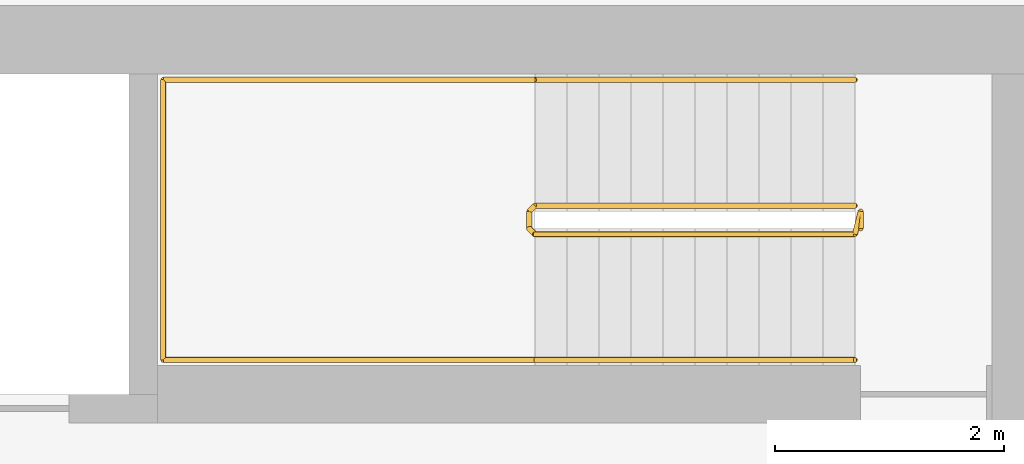
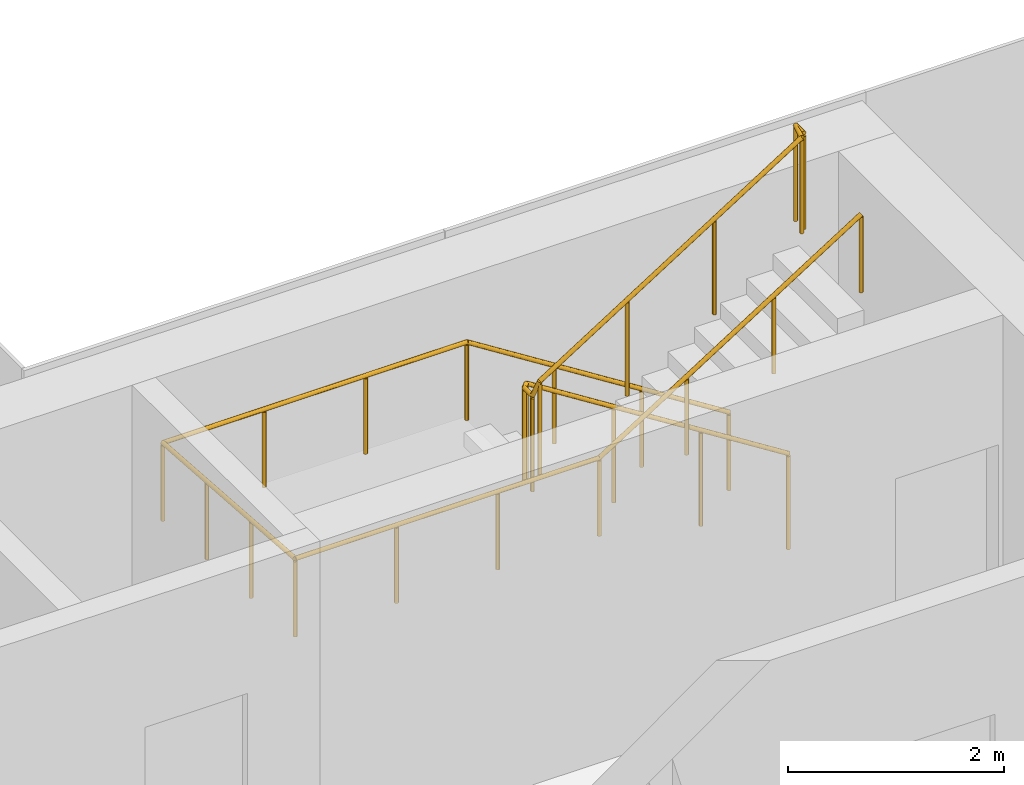
# One storey, part 18 of 18: 2 railings.
"""IFC4 building model written with IfcOpenShell, lengths in metres."""

from ifc_helpers import new_model, si_unit, direction, frame, origin, origin_2d, place, context, subcontext, project, spatial, circle, extrude, material, type_object, element, save


model = new_model("IFC4")

# Units and contexts
model_context = context("Model", 3, precision=1e-05, world=origin(), true_north=direction((0.0, 1.0)))
body_context = subcontext(model_context, "Body", "Model", "MODEL_VIEW")
ifc_project = project(units=[si_unit("LENGTHUNIT", "METRE"), si_unit("AREAUNIT", "SQUARE_METRE"), si_unit("VOLUMEUNIT", "CUBIC_METRE"), si_unit("PLANEANGLEUNIT", "RADIAN"), si_unit("MASSUNIT", "GRAM", prefix="KILO")], contexts=[model_context])

# Site, building, storey
site_placement = place(None, origin())
site = spatial("IfcSite", under=ifc_project, at=site_placement, CompositionType="ELEMENT")
building_placement = place(site_placement, origin())
building = spatial("IfcBuilding", under=site, at=building_placement, Name="Shamsa Quay Exchange Towers", CompositionType="ELEMENT")
storey_placement = place(building_placement, frame((0.0, 0.0, 117.0)))
storey = spatial("IfcBuildingStorey", under=building, at=storey_placement, Name="L27", CompositionType="ELEMENT", Elevation=117.0)

# Railings
ifc_material = material(Name="Stainless steel", Category="steel")
railing_type_1 = type_object("IfcRailingType", Name="STAIR GUARD 1100", PredefinedType="GUARDRAIL", material=ifc_material)
railing_1_placement = place(storey_placement, frame((52.10009765625, 4.89990234375, 0.17724609375)))
element("IfcRailing", 1, at=railing_1_placement, inside=storey, type_object=railing_type_1, Name="L27 ST6 stair guard 1", PredefinedType="GUARDRAIL", context=body_context, shape_type="SweptSolid", body=[
    extrude(circle(Radius=0.02392578125, at=origin_2d()), frame((0.0, 0.0, 1.076171875), z_axis=(-0.844908973607, 0.0, 0.534910110503), x_axis=(0.0, -1.0, 0.0)), (0.0, 0.0, 1.0), 3.31396484375),
    extrude(circle(Radius=0.02392578125, at=origin_2d()), frame((-2.800048828125, 0.0, 2.8486328125), z_axis=(-0.708833529934, -0.705375805398, 0.0), x_axis=(0.705375805398, -0.708833529934, 0.0)), (0.0, 0.0, 1.0), 0.070556640625),
    extrude(circle(Radius=0.02392578125, at=origin_2d()), frame((-2.85009765625, -0.0498046875, 2.8486328125), z_axis=(0.0, -1.0, 0.0), x_axis=(1.0, 0.0, 0.0)), (0.0, 0.0, 1.0), 0.150146484375),
    extrude(circle(Radius=0.02392578125, at=origin_2d()), frame((-2.85009765625, -0.199951171875, 2.8486328125), z_axis=(0.262233686654, -0.262233686654, 0.928691007369), x_axis=(0.707106781187, 0.707106781187, 0.0)), (0.0, 0.0, 1.0), 0.19091796875),
    extrude(circle(Radius=0.02392578125, at=origin_2d()), frame((-2.800048828125, -0.25, 3.02587890625), z_axis=(0.844908973607, 0.0, 0.534910110503), x_axis=(0.0, 1.0, 0.0)), (0.0, 0.0, 1.0), 3.31396484375),
    extrude(circle(Radius=0.02392578125, at=origin_2d()), frame((0.0, -0.25, 4.798828125), z_axis=(0.24142163986, 0.970420317083, 0.0), x_axis=(-0.970420317083, 0.24142163986, 0.0)), (0.0, 0.0, 1.0), 0.206298828125),
    extrude(circle(Radius=0.02392578125, at=origin_2d()), frame((0.0498046875, -0.0498046875, 4.798828125), z_axis=(0.0, -1.0, 0.0), x_axis=(1.0, 0.0, 0.0)), (0.0, 0.0, 1.0), 0.150146484375),
    extrude(circle(Radius=0.02099609375, at=origin_2d()), origin(), (0.0, 0.0, 1.0), 1.052001953125),
    extrude(circle(Radius=0.02099609375, at=origin_2d()), frame((-0.933349609375, 0.0, 0.5908203125)), (0.0, 0.0, 1.0), 1.052001953125),
    extrude(circle(Radius=0.02099609375, at=origin_2d()), frame((-1.86669921875, 0.0, 1.181884765625)), (0.0, 0.0, 1.0), 1.052001953125),
    extrude(circle(Radius=0.02099609375, at=origin_2d()), frame((-2.800048828125, 0.0, 1.772705078125)), (0.0, 0.0, 1.0), 1.052001953125),
    extrude(circle(Radius=0.02099609375, at=origin_2d()), frame((-2.85009765625, -0.0498046875, 1.772705078125)), (0.0, 0.0, 1.0), 1.052001953125),
    extrude(circle(Radius=0.02099609375, at=origin_2d()), frame((-2.85009765625, -0.199951171875, 1.772705078125)), (0.0, 0.0, 1.0), 1.052001953125),
    extrude(circle(Radius=0.02099609375, at=origin_2d()), frame((-2.800048828125, -0.25, 1.949951171875)), (0.0, 0.0, 1.0), 1.052001953125),
    extrude(circle(Radius=0.02099609375, at=origin_2d()), frame((-1.86669921875, -0.25, 2.540771484375)), (0.0, 0.0, 1.0), 1.052001953125),
    extrude(circle(Radius=0.02099609375, at=origin_2d()), frame((-0.933349609375, -0.25, 3.1318359375)), (0.0, 0.0, 1.0), 1.052001953125),
    extrude(circle(Radius=0.02099609375, at=origin_2d()), frame((0.0, -0.25, 3.72265625)), (0.0, 0.0, 1.0), 1.052001953125),
    extrude(circle(Radius=0.02099609375, at=origin_2d()), frame((0.0498046875, -0.0498046875, 3.72265625)), (0.0, 0.0, 1.0), 1.052001953125),
    extrude(circle(Radius=0.02099609375, at=origin_2d()), frame((0.0498046875, -0.199951171875, 3.72265625)), (0.0, 0.0, 1.0), 1.052001953125),
])
railing_type_2 = type_object("IfcRailingType", Name="STAIR HANDRAIL 900", PredefinedType="HANDRAIL", material=ifc_material)
railing_2_placement = place(storey_placement, frame((52.10009765625, 6.0, 0.17724609375)))
element("IfcRailing", 2, at=railing_2_placement, inside=storey, type_object=railing_type_2, Name="L27 ST6 stair handrail 1", PredefinedType="HANDRAIL", context=body_context, shape_type="SweptSolid", body=[
    extrude(circle(Radius=0.02392578125, at=origin_2d()), frame((0.0, 0.0, 0.8759765625), z_axis=(-0.844908973607, 0.0, 0.534910110503), x_axis=(0.0, -1.0, 0.0)), (0.0, 0.0, 1.0), 3.31396484375),
    extrude(circle(Radius=0.02392578125, at=origin_2d()), frame((-2.800048828125, 0.0, 2.6484375), z_axis=(-1.0, 0.0, 0.0), x_axis=(0.0, -1.0, 0.0)), (0.0, 0.0, 1.0), 3.25),
    extrude(circle(Radius=0.02392578125, at=origin_2d()), frame((-6.050048828125, 0.0, 2.6484375), z_axis=(0.0, -0.997393199914, 0.07215819264), x_axis=(1.0, 0.0, 0.0)), (0.0, 0.0, 1.0), 2.456298828125),
    extrude(circle(Radius=0.02392578125, at=origin_2d()), frame((-6.050048828125, -2.449951171875, 2.82568359375), z_axis=(1.0, 0.0, 0.0), x_axis=(0.0, 1.0, 0.0)), (0.0, 0.0, 1.0), 3.25),
    extrude(circle(Radius=0.02392578125, at=origin_2d()), frame((-2.800048828125, -2.449951171875, 2.82568359375), z_axis=(0.844908973607, 0.0, 0.534910110503), x_axis=(0.0, 1.0, 0.0)), (0.0, 0.0, 1.0), 3.31396484375),
    extrude(circle(Radius=0.02099609375, at=origin_2d()), origin(), (0.0, 0.0, 1.0), 0.851806640625),
    extrude(circle(Radius=0.02099609375, at=origin_2d()), frame((-0.933349609375, 0.0, 0.5908203125)), (0.0, 0.0, 1.0), 0.851806640625),
    extrude(circle(Radius=0.02099609375, at=origin_2d()), frame((-1.86669921875, 0.0, 1.181884765625)), (0.0, 0.0, 1.0), 0.851806640625),
    extrude(circle(Radius=0.02099609375, at=origin_2d()), frame((-2.800048828125, 0.0, 1.772705078125)), (0.0, 0.0, 1.0), 0.851806640625),
    extrude(circle(Radius=0.02099609375, at=origin_2d()), frame((-3.88330078125, 0.0, 1.772705078125)), (0.0, 0.0, 1.0), 0.851806640625),
    extrude(circle(Radius=0.02099609375, at=origin_2d()), frame((-4.966796875, 0.0, 1.772705078125)), (0.0, 0.0, 1.0), 0.851806640625),
    extrude(circle(Radius=0.02099609375, at=origin_2d()), frame((-6.050048828125, 0.0, 1.772705078125)), (0.0, 0.0, 1.0), 0.851806640625),
    extrude(circle(Radius=0.02099609375, at=origin_2d()), frame((-6.050048828125, -0.816650390625, 1.831787109375)), (0.0, 0.0, 1.0), 0.851806640625),
    extrude(circle(Radius=0.02099609375, at=origin_2d()), frame((-6.050048828125, -1.63330078125, 1.890869140625)), (0.0, 0.0, 1.0), 0.851806640625),
    extrude(circle(Radius=0.02099609375, at=origin_2d()), frame((-6.050048828125, -2.449951171875, 1.949951171875)), (0.0, 0.0, 1.0), 0.851806640625),
    extrude(circle(Radius=0.02099609375, at=origin_2d()), frame((-4.966796875, -2.449951171875, 1.949951171875)), (0.0, 0.0, 1.0), 0.851806640625),
    extrude(circle(Radius=0.02099609375, at=origin_2d()), frame((-3.88330078125, -2.449951171875, 1.949951171875)), (0.0, 0.0, 1.0), 0.851806640625),
    extrude(circle(Radius=0.02099609375, at=origin_2d()), frame((-2.800048828125, -2.449951171875, 1.949951171875)), (0.0, 0.0, 1.0), 0.851806640625),
    extrude(circle(Radius=0.02099609375, at=origin_2d()), frame((-1.86669921875, -2.449951171875, 2.540771484375)), (0.0, 0.0, 1.0), 0.851806640625),
    extrude(circle(Radius=0.02099609375, at=origin_2d()), frame((-0.933349609375, -2.449951171875, 3.1318359375)), (0.0, 0.0, 1.0), 0.851806640625),
    extrude(circle(Radius=0.02099609375, at=origin_2d()), frame((0.0, -2.449951171875, 3.72265625)), (0.0, 0.0, 1.0), 0.851806640625),
])

save(model, "model.ifc")
